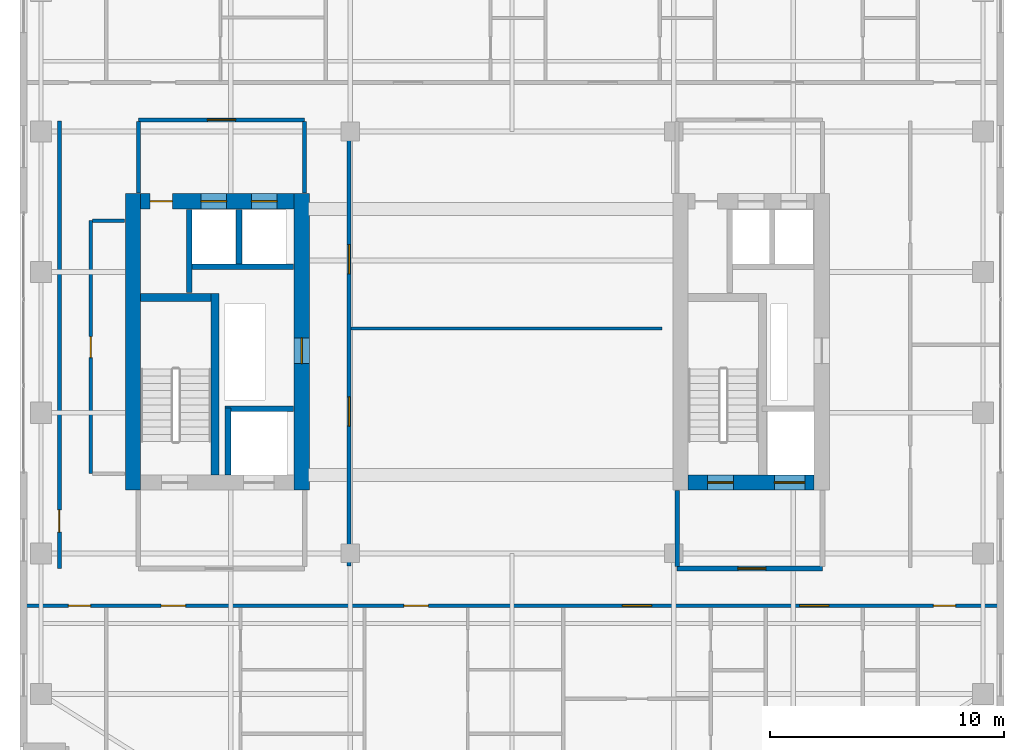
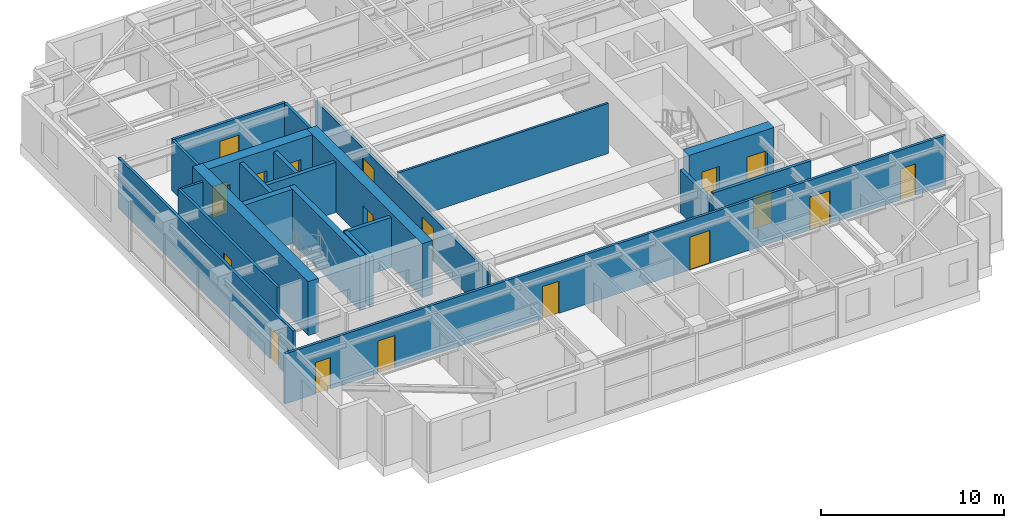
# One storey, part 20 of 24: 22 walls, 18 doors, 18 openings.
"""IFC4 building model written with IfcOpenShell, lengths in metres."""

import ifcopenshell
import ifcopenshell.guid

model = None  # the IFC model being written
_history = None  # IfcOwnerHistory: only IFC2X3 demands one
_inside = {}  # id of a spatial element -> (the spatial element, [elements in it])
_under = {}  # id of a project, library or spatial element -> (it, [spatial elements below it])
_declared = {}  # id of a project -> (the project, [libraries it declares])
_typed = {}  # id of a type object -> (the type object, [elements of that type])
_made_of = {}  # id of a material, layer set ... -> (it, [elements and type objects made of it])


def new_model(schema):
    """Start an empty IFC model of exactly this schema.

    Asked for "IFC4X3", IfcOpenShell would pick the latest addendum, in which some entities
    have other attributes; the version numbers below select the first issue.
    IFC2X3 requires an IfcOwnerHistory on every rooted entity: one is made here for all.
    """
    global model, _history
    if schema == "IFC4X3":
        model = ifcopenshell.file(schema_version=(4, 3, 0, 0))
    else:
        model = ifcopenshell.file(schema=schema)
    _inside.clear()
    _under.clear()
    _declared.clear()
    _typed.clear()
    _made_of.clear()
    _history = None
    if model.schema == "IFC2X3":
        org = make("IfcOrganization", Name="unknown")
        user = make(
            "IfcPersonAndOrganization",
            ThePerson=make("IfcPerson", FamilyName="unknown"),
            TheOrganization=org,
        )
        app = make(
            "IfcApplication",
            ApplicationDeveloper=org,
            Version="unknown",
            ApplicationFullName="unknown",
            ApplicationIdentifier="unknown",
        )
        _history = make(
            "IfcOwnerHistory",
            OwningUser=user,
            OwningApplication=app,
            ChangeAction="ADDED",
            CreationDate=0,
        )
    return model


def make(cls, **values):
    """One entity of the class cls with the attributes given. An attribute that is None is left unset."""
    return model.create_entity(
        cls, **{name: value for name, value in values.items() if value is not None}
    )


def rooted(cls, **values):
    """An entity with a GlobalId (a new one), such as an element, a storey or a relation."""
    return make(cls, GlobalId=ifcopenshell.guid.new(), OwnerHistory=_history, **values)


def si_unit(unit_type, name, prefix=None):
    """IfcSIUnit, for example si_unit("LENGTHUNIT", "METRE", prefix="MILLI")."""
    return make("IfcSIUnit", UnitType=unit_type, Prefix=prefix, Name=name)


def assignment(units):
    """IfcUnitAssignment: the units of a project."""
    return None if units is None else make("IfcUnitAssignment", Units=units)


def point(xyz):
    """IfcCartesianPoint."""
    return None if xyz is None else make("IfcCartesianPoint", Coordinates=xyz)


def direction(xyz):
    """IfcDirection."""
    return None if xyz is None else make("IfcDirection", DirectionRatios=xyz)


def frame(location, z_axis=None, x_axis=None):
    """IfcAxis2Placement3D, a coordinate frame: its origin and axes. An axis left out is left unset."""
    return make(
        "IfcAxis2Placement3D",
        Location=point(location),
        Axis=direction(z_axis),
        RefDirection=direction(x_axis),
    )


def frame_2d(location, x_axis=None):
    """IfcAxis2Placement2D, a coordinate frame in the plane: its origin and x axis."""
    return make(
        "IfcAxis2Placement2D", Location=point(location), RefDirection=direction(x_axis)
    )


def origin():
    """The frame at (0, 0, 0) with its axes left unset."""
    return frame((0.0, 0.0, 0.0))


def place(relative_to, where):
    """IfcLocalPlacement: puts the frame where relative to a parent placement (None: the world)."""
    return make(
        "IfcLocalPlacement", PlacementRelTo=relative_to, RelativePlacement=where
    )


def context(
    kind, dimensions, precision=None, world=None, true_north=None, identifier=None
):
    """IfcGeometricRepresentationContext, for example the 3D "Model" context."""
    return make(
        "IfcGeometricRepresentationContext",
        ContextIdentifier=identifier,
        ContextType=kind,
        CoordinateSpaceDimension=dimensions,
        Precision=precision,
        WorldCoordinateSystem=world,
        TrueNorth=true_north,
    )


def subcontext(parent, identifier, kind, view, scale=None):
    """IfcGeometricRepresentationSubContext, for example "Body" below "Model"."""
    return make(
        "IfcGeometricRepresentationSubContext",
        ContextIdentifier=identifier,
        ContextType=kind,
        ParentContext=parent,
        TargetScale=scale,
        TargetView=view,
    )


def project(units=None, contexts=None):
    """IfcProject with its units and contexts."""
    return rooted(
        "IfcProject",
        Name="project",
        RepresentationContexts=contexts,
        UnitsInContext=assignment(units),
    )


def spatial(cls, under=None, at=None, **own):
    """A site, building, storey or space (cls), placed at a placement, below another one or the project."""
    s = rooted(cls, ObjectPlacement=at, **own)
    if under is not None:
        _under.setdefault(under.id(), (under, []))[1].append(s)
    return s


def profile(cls, at=None, kind="AREA", **sizes):
    """A parametric profile (cls). Its sizes go by their IFC names, for example OverallWidth=200.0."""
    return make(cls, ProfileType=kind, Position=at, **sizes)


def rectangle(**sizes):
    """IfcRectangleProfileDef."""
    return profile("IfcRectangleProfileDef", **sizes)


def extrude(swept, where, along, depth):
    """IfcExtrudedAreaSolid: the profile swept, set in the frame where, extruded along a direction by depth."""
    return make(
        "IfcExtrudedAreaSolid",
        SweptArea=swept,
        Position=where,
        ExtrudedDirection=direction(along),
        Depth=depth,
    )


def shape(context_of_items, identifier, shape_type, items):
    """IfcShapeRepresentation: the items that make up one representation, for example the "Body"."""
    return make(
        "IfcShapeRepresentation",
        ContextOfItems=context_of_items,
        RepresentationIdentifier=identifier,
        RepresentationType=shape_type,
        Items=items,
    )


def source(mapping_origin, context_of_items, identifier, shape_type, items):
    """IfcRepresentationMap: a shape defined once, which mapped items show again and again."""
    return make(
        "IfcRepresentationMap",
        MappingOrigin=mapping_origin,
        MappedRepresentation=shape(context_of_items, identifier, shape_type, items),
    )


def transform(
    local_origin,
    x_axis=None,
    y_axis=None,
    z_axis=None,
    scale=None,
    scale2=None,
    scale3=None,
    uniform=True,
):
    """IfcCartesianTransformationOperator3D, or its non-uniform kind. x_axis, y_axis, z_axis: its Axis1, 2, 3."""
    if uniform:
        return make(
            "IfcCartesianTransformationOperator3D",
            Axis1=direction(x_axis),
            Axis2=direction(y_axis),
            LocalOrigin=point(local_origin),
            Scale=scale,
            Axis3=direction(z_axis),
        )
    return make(
        "IfcCartesianTransformationOperator3DnonUniform",
        Axis1=direction(x_axis),
        Axis2=direction(y_axis),
        LocalOrigin=point(local_origin),
        Scale=scale,
        Axis3=direction(z_axis),
        Scale2=scale2,
        Scale3=scale3,
    )


def mapped(mapping_source, mapping_target):
    """IfcMappedItem: shows the shape of a source again, moved by a transform."""
    return make(
        "IfcMappedItem", MappingSource=mapping_source, MappingTarget=mapping_target
    )


def material(Name=None, Category=None):
    """IfcMaterial."""
    return make("IfcMaterial", Name=Name, Category=Category)


def layer(
    of_material, thickness, ventilated=None, Name=None, Category=None, Priority=None
):
    """IfcMaterialLayer: one layer of a wall or slab, of a material (None: an air gap)."""
    return make(
        "IfcMaterialLayer",
        Material=of_material,
        LayerThickness=thickness,
        IsVentilated=ventilated,
        Name=Name,
        Category=Category,
        Priority=Priority,
    )


def layer_set(layers, Name=None):
    """IfcMaterialLayerSet."""
    return make("IfcMaterialLayerSet", MaterialLayers=layers, LayerSetName=Name)


def made_of(thing, what):
    """Note that an element or type object is made of a material, layer set ...; save() writes the relation."""
    if what is not None:
        _made_of.setdefault(what.id(), (what, []))[1].append(thing)
    return thing


def type_object(cls, material=None, **own):
    """A type object (cls), such as IfcWallType, which elements share."""
    return made_of(rooted(cls, **own), material)


def element(
    cls,
    number,
    at=None,
    inside=None,
    cuts=None,
    type_object=None,
    material=None,
    context=None,
    identifier="Body",
    shape_type=None,
    held_by="IfcProductDefinitionShape",
    body=None,
    shapes=None,
    **own,
):
    """One element of the class cls, such as IfcWall. Its Tag is "e" and its number.

    at: its placement. inside: the storey or other place that contains it. cuts: it is an
    opening in that element (IfcRelVoidsElement). A single representation is given by context,
    identifier, shape_type and body (its items); several are given by shapes. held_by: the class
    of the entity that holds the representations. save() writes the other relations.
    """
    e = rooted(cls, Tag="e%d" % number, ObjectPlacement=at, **own)
    if body is not None:
        shapes = [shape(context, identifier, shape_type, body)]
    if shapes is not None:
        e.Representation = make(held_by, Representations=shapes)
    if inside is not None:
        _inside.setdefault(inside.id(), (inside, []))[1].append(e)
    if cuts is not None:
        rooted(
            "IfcRelVoidsElement", RelatingBuildingElement=cuts, RelatedOpeningElement=e
        )
    if type_object is not None:
        _typed.setdefault(type_object.id(), (type_object, []))[1].append(e)
    return made_of(e, material)


def fill(opening, filler):
    """IfcRelFillsElement: the door or window that sits in an opening."""
    return rooted(
        "IfcRelFillsElement",
        RelatingOpeningElement=opening,
        RelatedBuildingElement=filler,
    )


def aggregate(whole, parts):
    """IfcRelAggregates: a whole, such as a stair, and the parts it consists of."""
    return rooted("IfcRelAggregates", RelatingObject=whole, RelatedObjects=parts)


def save(model, path):
    """Write the relations noted so far, then the file.

    IfcRelAggregates (storeys below a building ...), IfcRelContainedInSpatialStructure (elements
    in a storey), IfcRelDefinesByType, IfcRelAssociatesMaterial and IfcRelDeclares: one each for
    every whole, place, type object, material and project.
    """
    for whole, parts in _under.values():
        aggregate(whole, parts)
    for where, things in _inside.values():
        rooted(
            "IfcRelContainedInSpatialStructure",
            RelatedElements=things,
            RelatingStructure=where,
        )
    for kind, things in _typed.values():
        rooted("IfcRelDefinesByType", RelatedObjects=things, RelatingType=kind)
    for what, things in _made_of.values():
        rooted("IfcRelAssociatesMaterial", RelatedObjects=things, RelatingMaterial=what)
    for by, libraries in _declared.values():
        rooted("IfcRelDeclares", RelatingContext=by, RelatedDefinitions=libraries)
    model.write(path)


model = new_model("IFC4")

# Units and contexts
model_context = context("Model", 3, precision=1e-05, world=origin(), true_north=direction((0.0, 1.0)))
body_context = subcontext(model_context, "Body", "Model", "MODEL_VIEW")
ifc_project = project(units=[si_unit("LENGTHUNIT", "METRE"), si_unit("AREAUNIT", "SQUARE_METRE"), si_unit("VOLUMEUNIT", "CUBIC_METRE"), si_unit("PLANEANGLEUNIT", "RADIAN"), si_unit("MASSUNIT", "GRAM", prefix="KILO")], contexts=[model_context])

# Site, building, storey
site_placement = place(None, origin())
site = spatial("IfcSite", under=ifc_project, at=site_placement, CompositionType="ELEMENT")
building_placement = place(site_placement, origin())
building = spatial("IfcBuilding", under=site, at=building_placement, Name="Khoralis Quay Care Tower", CompositionType="ELEMENT")
storey_placement = place(building_placement, frame((0.0, 0.0, 155.699951171875)))
storey = spatial("IfcBuildingStorey", under=building, at=storey_placement, Name="L40", CompositionType="ELEMENT", Elevation=155.699951171875)

# Wall, opening, door
ifc_material_1 = material(Name="Gypsum plasterboard on acoustic metal stud")
ifc_layer_1 = layer(ifc_material_1, 0.199951171875)
ifc_layer_set_1 = layer_set([ifc_layer_1], Name="Gypsum plasterboard on acoustic metal stud")
wall_type_1 = type_object("IfcWallType", Name="WL-COMP-200", PredefinedType="PARTITIONING", material=ifc_layer_set_1)
wall_1_placement = place(storey_placement, frame((31.050048828125, 11.35009765625, 0.0), z_axis=(0.0, 0.0, 1.0), x_axis=(1.0, 0.0, 0.0)))
wall_1 = element("IfcWall", 1, at=wall_1_placement, inside=storey, type_object=wall_type_1, Name="L40 East Firefighting Lobby South Wall", PredefinedType="PARTITIONING", context=body_context, shape_type="SweptSolid", body=[
    extrude(rectangle(XDim=6.199951171875, YDim=0.199951171875, at=frame_2d((3.10009765625, 0.0))), origin(), (0.0, 0.0, 1.0), 3.340087890625),
])
opening_1_placement = place(wall_1_placement, frame((2.585693359375, 0.0, 0.0)))
opening_1 = element("IfcOpeningElement", 2, at=opening_1_placement, cuts=wall_1, Name="Opening FD1", PredefinedType="OPENING", context=body_context, shape_type="SweptSolid", body=[
    extrude(rectangle(XDim=1.199951171875, YDim=2.199951171875, at=frame_2d((0.60009765625, 1.10009765625))), frame((0.0, 0.10986328125, 0.0), z_axis=(0.0, -1.0, 0.0), x_axis=(1.0, 0.0, 0.0)), (0.0, 0.0, 1.0), 0.219970703125),
])
ifc_material_2 = material(Name="Fire-rated painted steel", Category="steel")
door_type_1 = type_object("IfcDoorType", Name="DR-FFL-1200X2200", OperationType="NOTDEFINED", PredefinedType="DOOR", material=ifc_material_2)
shared_shape_1 = source(origin(), body_context, "Body", "SweptSolid", [
    extrude(rectangle(XDim=1.199951171875, YDim=2.199951171875, at=frame_2d((0.60009765625, 1.10009765625))), frame((0.0, 0.02490234375, 0.0), z_axis=(0.0, -1.0, 0.0), x_axis=(1.0, 0.0, 0.0)), (0.0, 0.0, 1.0), 0.050048828125),
])
door_1_placement = place(opening_1_placement, origin())
door_1 = element("IfcDoor", 3, at=door_1_placement, inside=storey, type_object=door_type_1, Name="L40 East Firefighting Lobby Fire Door", OperationType="SINGLE_SWING_LEFT", OverallHeight=2.199951171875, OverallWidth=1.199951171875, PredefinedType="DOOR", context=body_context, shape_type="MappedRepresentation", body=[
    mapped(shared_shape_1, transform((0.0, 0.0, 0.0), scale=1.0)),
])
fill(opening_1, door_1)

# Walls
wall_2_placement = place(storey_placement, frame((31.050048828125, 11.445068359375, 0.0), z_axis=(0.0, 0.0, 1.0), x_axis=(0.0, 1.0, 0.0)))
element("IfcWall", 4, at=wall_2_placement, inside=storey, type_object=wall_type_1, Name="L40 East Firefighting Lobby West Wall", PredefinedType="PARTITIONING", context=body_context, shape_type="SweptSolid", body=[
    extrude(rectangle(XDim=3.23486328125, YDim=0.199951171875, at=frame_2d((1.617431640625, 0.0))), origin(), (0.0, 0.0, 1.0), 2.876953125),
])
ifc_material_3 = material(Name="Concrete C65/80", Category="concrete")
ifc_layer_2 = layer(ifc_material_3, 0.64990234375)
ifc_layer_set_2 = layer_set([ifc_layer_2], Name="Concrete C65/80")
wall_type_2 = type_object("IfcWallType", Name="WL-CORE-650", PredefinedType="SHEAR", material=ifc_layer_set_2)
wall_3_placement = place(storey_placement, frame((7.824951171875, 14.699951171875, 0.0), z_axis=(0.0, 0.0, 1.0), x_axis=(0.0, 1.0, 0.0)))
element("IfcWall", 5, at=wall_3_placement, inside=storey, type_object=wall_type_2, Name="L40 WCORE West Shear Wall", PredefinedType="SHEAR", context=body_context, shape_type="SweptSolid", body=[
    extrude(rectangle(XDim=12.650146484375, YDim=0.64990234375, at=frame_2d((6.3251953125, 0.0))), origin(), (0.0, 0.0, 1.0), 3.60009765625),
])

# Wall, opening, door
wall_4_placement = place(storey_placement, frame((15.02490234375, 14.699951171875, 0.0), z_axis=(0.0, 0.0, 1.0), x_axis=(0.0, 1.0, 0.0)))
wall_4 = element("IfcWall", 6, at=wall_4_placement, inside=storey, type_object=wall_type_2, Name="L40 WCORE East Shear Wall", PredefinedType="SHEAR", context=body_context, shape_type="SweptSolid", body=[
    extrude(rectangle(XDim=12.650146484375, YDim=0.64990234375, at=frame_2d((6.3251953125, 0.0))), origin(), (0.0, 0.0, 1.0), 3.60009765625),
])
opening_2_placement = place(wall_4_placement, frame((5.39990234375, 0.0, 0.0)))
opening_2 = element("IfcOpeningElement", 7, at=opening_2_placement, cuts=wall_4, Name="Opening SD1", PredefinedType="OPENING", context=body_context, shape_type="SweptSolid", body=[
    extrude(rectangle(XDim=1.10009765625, YDim=2.199951171875, at=frame_2d((0.550048828125, 1.10009765625))), frame((0.0, 0.3349609375, 0.0), z_axis=(0.0, -1.0, 0.0), x_axis=(1.0, 0.0, 0.0)), (0.0, 0.0, 1.0), 0.669921875),
])
door_type_2 = type_object("IfcDoorType", Name="DR-STAIR-1100X2200", OperationType="NOTDEFINED", PredefinedType="DOOR", material=ifc_material_2)
shared_shape_2 = source(origin(), body_context, "Body", "SweptSolid", [
    extrude(rectangle(XDim=1.10009765625, YDim=2.199951171875, at=frame_2d((0.550048828125, 1.10009765625))), frame((0.0, 0.02490234375, 0.0), z_axis=(0.0, -1.0, 0.0), x_axis=(1.0, 0.0, 0.0)), (0.0, 0.0, 1.0), 0.050048828125),
])
door_2_placement = place(opening_2_placement, origin())
door_2 = element("IfcDoor", 8, at=door_2_placement, inside=storey, type_object=door_type_2, Name="L40 West MEP Riser Door", OperationType="SINGLE_SWING_RIGHT", OverallHeight=2.199951171875, OverallWidth=1.10009765625, PredefinedType="DOOR", context=body_context, shape_type="MappedRepresentation", body=[
    mapped(shared_shape_2, transform((0.0, 0.0, 0.0), scale=1.0)),
])
fill(opening_2, door_2)

# Wall, openings, doors
wall_5_placement = place(storey_placement, frame((8.14990234375, 27.02490234375, 0.0), z_axis=(0.0, 0.0, 1.0), x_axis=(1.0, 0.0, 0.0)))
wall_5 = element("IfcWall", 9, at=wall_5_placement, inside=storey, type_object=wall_type_2, Name="L40 WCORE North Shear Wall", PredefinedType="SHEAR", context=body_context, shape_type="SweptSolid", body=[
    extrude(rectangle(XDim=6.550048828125, YDim=0.64990234375, at=frame_2d((3.27490234375, 0.0))), origin(), (0.0, 0.0, 1.0), 3.60009765625),
])
opening_3_placement = place(wall_5_placement, frame((0.39990234375, 0.0, 0.0)))
opening_3 = element("IfcOpeningElement", 10, at=opening_3_placement, cuts=wall_5, Name="Opening ID1", PredefinedType="OPENING", context=body_context, shape_type="SweptSolid", body=[
    extrude(rectangle(XDim=0.949951171875, YDim=2.10009765625, at=frame_2d((0.47509765625, 1.050048828125))), frame((0.0, 0.3349609375, 0.0), z_axis=(0.0, -1.0, 0.0), x_axis=(1.0, 0.0, 0.0)), (0.0, 0.0, 1.0), 0.669921875),
])
opening_4_placement = place(wall_5_placement, frame((2.570068359375, 0.0, 0.0)))
opening_4 = element("IfcOpeningElement", 11, at=opening_4_placement, cuts=wall_5, Name="Opening LD1", PredefinedType="OPENING", context=body_context, shape_type="SweptSolid", body=[
    extrude(rectangle(XDim=1.10009765625, YDim=2.199951171875, at=frame_2d((0.550048828125, 1.10009765625))), frame((0.0, 0.3349609375, 0.0), z_axis=(0.0, -1.0, 0.0), x_axis=(1.0, 0.0, 0.0)), (0.0, 0.0, 1.0), 0.669921875),
])
opening_5_placement = place(wall_5_placement, frame((4.72998046875, 0.0, 0.0)))
opening_5 = element("IfcOpeningElement", 12, at=opening_5_placement, cuts=wall_5, Name="Opening LD1", PredefinedType="OPENING", context=body_context, shape_type="SweptSolid", body=[
    extrude(rectangle(XDim=1.10009765625, YDim=2.199951171875, at=frame_2d((0.550048828125, 1.10009765625))), frame((0.0, 0.3349609375, 0.0), z_axis=(0.0, -1.0, 0.0), x_axis=(1.0, 0.0, 0.0)), (0.0, 0.0, 1.0), 0.669921875),
])
ifc_material_4 = material(Name="Brushed stainless steel", Category="steel")
door_type_3 = type_object("IfcDoorType", Name="DR-LIFT-1100X2200", OperationType="SLIDING_TO_LEFT", PredefinedType="DOOR", material=ifc_material_4)
shared_shape_3 = source(origin(), body_context, "Body", "SweptSolid", [
    extrude(rectangle(XDim=1.10009765625, YDim=2.199951171875, at=frame_2d((0.550048828125, 1.10009765625))), frame((0.0, 0.02490234375, 0.0), z_axis=(0.0, -1.0, 0.0), x_axis=(1.0, 0.0, 0.0)), (0.0, 0.0, 1.0), 0.050048828125),
])
door_3_placement = place(opening_4_placement, origin())
door_3 = element("IfcDoor", 13, at=door_3_placement, inside=storey, type_object=door_type_3, Name="L40 Lift PLM1 Landing Door", OperationType="SLIDING_TO_LEFT", OverallHeight=2.199951171875, OverallWidth=1.10009765625, PredefinedType="DOOR", context=body_context, shape_type="MappedRepresentation", body=[
    mapped(shared_shape_3, transform((0.0, 0.0, 0.0), scale=1.0)),
])
fill(opening_4, door_3)
door_4_placement = place(opening_5_placement, origin())
door_4 = element("IfcDoor", 14, at=door_4_placement, inside=storey, type_object=door_type_3, Name="L40 Lift PLH1 Landing Door", OperationType="SLIDING_TO_LEFT", OverallHeight=2.199951171875, OverallWidth=1.10009765625, PredefinedType="DOOR", context=body_context, shape_type="MappedRepresentation", body=[
    mapped(shared_shape_3, transform((0.0, 0.0, 0.0), scale=1.0)),
])
fill(opening_5, door_4)
ifc_material_5 = material(Name="Acoustic hardwood timber", Category="wood")
door_type_4 = type_object("IfcDoorType", Name="DR-ROOM-950X2100", OperationType="NOTDEFINED", PredefinedType="DOOR", material=ifc_material_5)
shared_shape_4 = source(origin(), body_context, "Body", "SweptSolid", [
    extrude(rectangle(XDim=0.949951171875, YDim=2.10009765625, at=frame_2d((0.47509765625, 1.050048828125))), frame((0.0, 0.02490234375, 0.0), z_axis=(0.0, -1.0, 0.0), x_axis=(1.0, 0.0, 0.0)), (0.0, 0.0, 1.0), 0.050048828125),
])
door_5_placement = place(opening_3_placement, frame((0.949951171875, 0.0, 0.0), z_axis=(0.0, 0.0, 1.0), x_axis=(-1.0, 0.0, 0.0)))
door_5 = element("IfcDoor", 15, at=door_5_placement, inside=storey, type_object=door_type_4, Name="L40 Medication Room Door", OperationType="SINGLE_SWING_RIGHT", OverallHeight=2.10009765625, OverallWidth=0.949951171875, PredefinedType="DOOR", context=body_context, shape_type="MappedRepresentation", body=[
    mapped(shared_shape_4, transform((0.0, 0.0, 0.0), scale=1.0)),
])
fill(opening_3, door_5)

wall_6_placement = place(storey_placement, frame((31.52001953125, 15.02490234375, 0.0), z_axis=(0.0, 0.0, 1.0), x_axis=(1.0, 0.0, 0.0)))
wall_6 = element("IfcWall", 16, at=wall_6_placement, inside=storey, type_object=wall_type_2, Name="L40 ECORE South Shear Wall", PredefinedType="SHEAR", context=body_context, shape_type="SweptSolid", body=[
    extrude(rectangle(XDim=5.3798828125, YDim=0.64990234375, at=frame_2d((2.68994140625, 0.0))), origin(), (0.0, 0.0, 1.0), 3.60009765625),
])
opening_6_placement = place(wall_6_placement, frame((0.830078125, 0.0, 0.0)))
opening_6 = element("IfcOpeningElement", 17, at=opening_6_placement, cuts=wall_6, Name="Opening SD1", PredefinedType="OPENING", context=body_context, shape_type="SweptSolid", body=[
    extrude(rectangle(XDim=1.10009765625, YDim=2.199951171875, at=frame_2d((0.550048828125, 1.10009765625))), frame((0.0, 0.3349609375, 0.0), z_axis=(0.0, -1.0, 0.0), x_axis=(1.0, 0.0, 0.0)), (0.0, 0.0, 1.0), 0.669921875),
])
opening_7_placement = place(wall_6_placement, frame((3.679931640625, 0.0, 0.0)))
opening_7 = element("IfcOpeningElement", 18, at=opening_7_placement, cuts=wall_6, Name="Opening LD2", PredefinedType="OPENING", context=body_context, shape_type="SweptSolid", body=[
    extrude(rectangle(XDim=1.300048828125, YDim=2.199951171875, at=frame_2d((0.64990234375, 1.10009765625))), frame((0.0, 0.3349609375, 0.0), z_axis=(0.0, -1.0, 0.0), x_axis=(1.0, 0.0, 0.0)), (0.0, 0.0, 1.0), 0.669921875),
])
door_6_placement = place(opening_6_placement, origin())
door_6 = element("IfcDoor", 19, at=door_6_placement, inside=storey, type_object=door_type_2, Name="L40 Stair ST-T2 Fire Door", OperationType="SINGLE_SWING_LEFT", OverallHeight=2.199951171875, OverallWidth=1.10009765625, PredefinedType="DOOR", context=body_context, shape_type="MappedRepresentation", body=[
    mapped(shared_shape_2, transform((0.0, 0.0, 0.0), scale=1.0)),
])
fill(opening_6, door_6)
door_type_5 = type_object("IfcDoorType", Name="DR-LIFT-1300X2200", OperationType="SLIDING_TO_RIGHT", PredefinedType="DOOR", material=ifc_material_4)
shared_shape_5 = source(origin(), body_context, "Body", "SweptSolid", [
    extrude(rectangle(XDim=1.300048828125, YDim=2.199951171875, at=frame_2d((0.64990234375, 1.10009765625))), frame((0.0, 0.02490234375, 0.0), z_axis=(0.0, -1.0, 0.0), x_axis=(1.0, 0.0, 0.0)), (0.0, 0.0, 1.0), 0.050048828125),
])
door_7_placement = place(opening_7_placement, origin())
door_7 = element("IfcDoor", 20, at=door_7_placement, inside=storey, type_object=door_type_5, Name="L40 Firefighting Lift FFL-2 Landing Door", OperationType="SLIDING_TO_RIGHT", OverallHeight=2.199951171875, OverallWidth=1.300048828125, PredefinedType="DOOR", context=body_context, shape_type="MappedRepresentation", body=[
    mapped(shared_shape_5, transform((0.0, 0.0, 0.0), scale=1.0)),
])
fill(opening_7, door_7)

# Wall, opening, door
ifc_layer_3 = layer(ifc_material_1, 0.1650390625)
ifc_layer_set_3 = layer_set([ifc_layer_3], Name="Gypsum plasterboard on acoustic metal stud")
wall_type_3 = type_object("IfcWallType", Name="WL-CORR-165", PredefinedType="PARTITIONING", material=ifc_layer_set_3)
wall_7_placement = place(storey_placement, frame((8.050048828125, 30.5, 0.0), z_axis=(0.0, 0.0, 1.0), x_axis=(1.0, 0.0, 0.0)))
wall_7 = element("IfcWall", 21, at=wall_7_placement, inside=storey, type_object=wall_type_3, Name="L40 West Lift Lobby North Wall", PredefinedType="PARTITIONING", context=body_context, shape_type="SweptSolid", body=[
    extrude(rectangle(XDim=7.099853515625, YDim=0.1650390625, at=frame_2d((3.5498046875, 0.0))), origin(), (0.0, 0.0, 1.0), 3.340087890625),
])
opening_8_placement = place(wall_7_placement, frame((2.949951171875, 0.0, 0.0)))
opening_8 = element("IfcOpeningElement", 22, at=opening_8_placement, cuts=wall_7, Name="Opening FD1", PredefinedType="OPENING", context=body_context, shape_type="SweptSolid", body=[
    extrude(rectangle(XDim=1.199951171875, YDim=2.199951171875, at=frame_2d((0.60009765625, 1.10009765625))), frame((0.0, 0.092529296875, 0.0), z_axis=(0.0, -1.0, 0.0), x_axis=(1.0, 0.0, 0.0)), (0.0, 0.0, 1.0), 0.18505859375),
])
door_8_placement = place(opening_8_placement, origin())
door_8 = element("IfcDoor", 23, at=door_8_placement, inside=storey, type_object=door_type_1, Name="L40 West Lift Lobby Double Door", OperationType="DOUBLE_DOOR_SINGLE_SWING", OverallHeight=2.199951171875, OverallWidth=1.199951171875, PredefinedType="DOOR", context=body_context, shape_type="MappedRepresentation", body=[
    mapped(shared_shape_1, transform((0.0, 0.0, 0.0), scale=1.0)),
])
fill(opening_8, door_8)

# Walls
for number, where, z_axis, x_axis, name in (
    (24, (8.050048828125, 27.3701171875, 0.0), (0.0, 0.0, 1.0), (0.0, 1.0, 0.0), "L40 West Lift Lobby West Wall"),
    (25, (15.14990234375, 27.3701171875, 0.0), (0.0, 0.0, 1.0), (0.0, 1.0, 0.0), "L40 West Lift Lobby East Wall"),
):
    element("IfcWall", number, at=place(storey_placement, frame(where, z_axis=z_axis, x_axis=x_axis)), inside=storey, type_object=wall_type_3, Name=name, PredefinedType="PARTITIONING", context=body_context, shape_type="SweptSolid", body=[
        extrude(rectangle(XDim=3.052490234375, YDim=0.1650390625, at=frame_2d((1.5263671875, 0.0))), origin(), (0.0, 0.0, 1.0), 3.340087890625),
    ])

# Wall, opening, door
wall_8_placement = place(storey_placement, frame((6.02001953125, 15.39990234375, 0.0), z_axis=(0.0, 0.0, 1.0), x_axis=(0.0, 1.0, 0.0)))
wall_8 = element("IfcWall", 26, at=wall_8_placement, inside=storey, type_object=wall_type_3, Name="L40 West Core Service Flank Wall", PredefinedType="PARTITIONING", context=body_context, shape_type="SweptSolid", body=[
    extrude(rectangle(XDim=10.800048828125, YDim=0.1650390625, at=frame_2d((5.39990234375, 0.0))), origin(), (0.0, 0.0, 1.0), 3.340087890625),
])
opening_9_placement = place(wall_8_placement, frame((4.949951171875, 0.0, 0.0)))
opening_9 = element("IfcOpeningElement", 27, at=opening_9_placement, cuts=wall_8, Name="Opening WD1", PredefinedType="OPENING", context=body_context, shape_type="SweptSolid", body=[
    extrude(rectangle(XDim=0.89990234375, YDim=2.10009765625, at=frame_2d((0.449951171875, 1.050048828125))), frame((0.0, 0.092529296875, 0.0), z_axis=(0.0, -1.0, 0.0), x_axis=(1.0, 0.0, 0.0)), (0.0, 0.0, 1.0), 0.18505859375),
])
door_type_6 = type_object("IfcDoorType", Name="DR-BATH-900X2100", OperationType="NOTDEFINED", PredefinedType="DOOR", material=ifc_material_5)
shared_shape_6 = source(origin(), body_context, "Body", "SweptSolid", [
    extrude(rectangle(XDim=0.89990234375, YDim=2.10009765625, at=frame_2d((0.449951171875, 1.050048828125))), frame((0.0, 0.02490234375, 0.0), z_axis=(0.0, -1.0, 0.0), x_axis=(1.0, 0.0, 0.0)), (0.0, 0.0, 1.0), 0.050048828125),
])
door_9_placement = place(opening_9_placement, frame((0.89990234375, 0.0, 0.0), z_axis=(0.0, 0.0, 1.0), x_axis=(-1.0, 0.0, 0.0)))
door_9 = element("IfcDoor", 28, at=door_9_placement, inside=storey, type_object=door_type_6, Name="L40 Housekeeping & Public Accessible WC Door", OperationType="SINGLE_SWING_LEFT", OverallHeight=2.10009765625, OverallWidth=0.89990234375, PredefinedType="DOOR", context=body_context, shape_type="MappedRepresentation", body=[
    mapped(shared_shape_6, transform((0.0, 0.0, 0.0), scale=1.0)),
])
fill(opening_9, door_9)

# Wall, openings, doors
wall_9_placement = place(storey_placement, frame((3.14501953125, 9.760009765625, 0.0), z_axis=(0.0, 0.0, 1.0), x_axis=(1.0, 0.0, 0.0)))
wall_9 = element("IfcWall", 29, at=wall_9_placement, inside=storey, type_object=wall_type_3, Name="L40 South Main Corridor Wall", PredefinedType="PARTITIONING", context=body_context, shape_type="SweptSolid", body=[
    extrude(rectangle(XDim=41.7099609375, YDim=0.1650390625, at=frame_2d((20.85498046875, 0.0))), origin(), (0.0, 0.0, 1.0), 3.340087890625),
])
opening_10_placement = place(wall_9_placement, frame((5.875, 0.0, 0.0)))
opening_10 = element("IfcOpeningElement", 30, at=opening_10_placement, cuts=wall_9, Name="Opening UD1", PredefinedType="OPENING", context=body_context, shape_type="SweptSolid", body=[
    extrude(rectangle(XDim=1.050048828125, YDim=2.14990234375, at=frame_2d((0.52490234375, 1.074951171875))), frame((0.0, 0.092529296875, 0.0), z_axis=(0.0, -1.0, 0.0), x_axis=(1.0, 0.0, 0.0)), (0.0, 0.0, 1.0), 0.18505859375),
])
opening_11_placement = place(wall_9_placement, frame((16.237548828125, 0.0, 0.0)))
opening_11 = element("IfcOpeningElement", 31, at=opening_11_placement, cuts=wall_9, Name="Opening UD1", PredefinedType="OPENING", context=body_context, shape_type="SweptSolid", body=[
    extrude(rectangle(XDim=1.050048828125, YDim=2.14990234375, at=frame_2d((0.52490234375, 1.074951171875))), frame((0.0, 0.092529296875, 0.0), z_axis=(0.0, -1.0, 0.0), x_axis=(1.0, 0.0, 0.0)), (0.0, 0.0, 1.0), 0.18505859375),
])
opening_12_placement = place(wall_9_placement, frame((25.56494140625, 0.0, 0.0)))
opening_12 = element("IfcOpeningElement", 32, at=opening_12_placement, cuts=wall_9, Name="Opening CD1", PredefinedType="OPENING", context=body_context, shape_type="SweptSolid", body=[
    extrude(rectangle(XDim=1.25, YDim=2.199951171875, at=frame_2d((0.625, 1.10009765625))), frame((0.0, 0.092529296875, 0.0), z_axis=(0.0, -1.0, 0.0), x_axis=(1.0, 0.0, 0.0)), (0.0, 0.0, 1.0), 0.18505859375),
])
opening_13_placement = place(wall_9_placement, frame((33.1298828125, 0.0, 0.0)))
opening_13 = element("IfcOpeningElement", 33, at=opening_13_placement, cuts=wall_9, Name="Opening CD1", PredefinedType="OPENING", context=body_context, shape_type="SweptSolid", body=[
    extrude(rectangle(XDim=1.25, YDim=2.199951171875, at=frame_2d((0.625, 1.10009765625))), frame((0.0, 0.092529296875, 0.0), z_axis=(0.0, -1.0, 0.0), x_axis=(1.0, 0.0, 0.0)), (0.0, 0.0, 1.0), 0.18505859375),
])
opening_14_placement = place(wall_9_placement, frame((1.919921875, 0.0, 0.0)))
opening_14 = element("IfcOpeningElement", 34, at=opening_14_placement, cuts=wall_9, Name="Opening ID1", PredefinedType="OPENING", context=body_context, shape_type="SweptSolid", body=[
    extrude(rectangle(XDim=0.949951171875, YDim=2.10009765625, at=frame_2d((0.47509765625, 1.050048828125))), frame((0.0, 0.092529296875, 0.0), z_axis=(0.0, -1.0, 0.0), x_axis=(1.0, 0.0, 0.0)), (0.0, 0.0, 1.0), 0.18505859375),
])
opening_15_placement = place(wall_9_placement, frame((38.840087890625, 0.0, 0.0)))
opening_15 = element("IfcOpeningElement", 35, at=opening_15_placement, cuts=wall_9, Name="Opening ID1", PredefinedType="OPENING", context=body_context, shape_type="SweptSolid", body=[
    extrude(rectangle(XDim=0.949951171875, YDim=2.10009765625, at=frame_2d((0.47509765625, 1.050048828125))), frame((0.0, 0.092529296875, 0.0), z_axis=(0.0, -1.0, 0.0), x_axis=(1.0, 0.0, 0.0)), (0.0, 0.0, 1.0), 0.18505859375),
])
door_type_7 = type_object("IfcDoorType", Name="DR-CARE-1250X2200", OperationType="NOTDEFINED", PredefinedType="DOOR", material=ifc_material_5)
shared_shape_7 = source(origin(), body_context, "Body", "SweptSolid", [
    extrude(rectangle(XDim=1.25, YDim=2.199951171875, at=frame_2d((0.625, 1.10009765625))), frame((0.0, 0.02490234375, 0.0), z_axis=(0.0, -1.0, 0.0), x_axis=(1.0, 0.0, 0.0)), (0.0, 0.0, 1.0), 0.050048828125),
])
door_10_placement = place(opening_12_placement, frame((1.25, 0.0, 0.0), z_axis=(0.0, 0.0, 1.0), x_axis=(-1.0, 0.0, 0.0)))
door_10 = element("IfcDoor", 36, at=door_10_placement, inside=storey, type_object=door_type_7, Name="L40 Care Suite SB2 Clinical Door", OperationType="SINGLE_SWING_RIGHT", OverallHeight=2.199951171875, OverallWidth=1.25, PredefinedType="DOOR", context=body_context, shape_type="MappedRepresentation", body=[
    mapped(shared_shape_7, transform((0.0, 0.0, 0.0), scale=1.0)),
])
fill(opening_12, door_10)
door_11_placement = place(opening_13_placement, frame((1.25, 0.0, 0.0), z_axis=(0.0, 0.0, 1.0), x_axis=(-1.0, 0.0, 0.0)))
door_11 = element("IfcDoor", 37, at=door_11_placement, inside=storey, type_object=door_type_7, Name="L40 Care Suite SB3 Clinical Door", OperationType="SINGLE_SWING_LEFT", OverallHeight=2.199951171875, OverallWidth=1.25, PredefinedType="DOOR", context=body_context, shape_type="MappedRepresentation", body=[
    mapped(shared_shape_7, transform((0.0, 0.0, 0.0), scale=1.0)),
])
fill(opening_13, door_11)
door_12_placement = place(opening_14_placement, frame((0.949951171875, 0.0, 0.0), z_axis=(0.0, 0.0, 1.0), x_axis=(-1.0, 0.0, 0.0)))
door_12 = element("IfcDoor", 38, at=door_12_placement, inside=storey, type_object=door_type_4, Name="L40 SW Corner Door", OperationType="SINGLE_SWING_LEFT", OverallHeight=2.10009765625, OverallWidth=0.949951171875, PredefinedType="DOOR", context=body_context, shape_type="MappedRepresentation", body=[
    mapped(shared_shape_4, transform((0.0, 0.0, 0.0), scale=1.0)),
])
fill(opening_14, door_12)
door_13_placement = place(opening_15_placement, frame((0.949951171875, 0.0, 0.0), z_axis=(0.0, 0.0, 1.0), x_axis=(-1.0, 0.0, 0.0)))
door_13 = element("IfcDoor", 39, at=door_13_placement, inside=storey, type_object=door_type_4, Name="L40 SE Corner Door", OperationType="SINGLE_SWING_RIGHT", OverallHeight=2.10009765625, OverallWidth=0.949951171875, PredefinedType="DOOR", context=body_context, shape_type="MappedRepresentation", body=[
    mapped(shared_shape_4, transform((0.0, 0.0, 0.0), scale=1.0)),
])
fill(opening_15, door_13)
door_type_8 = type_object("IfcDoorType", Name="DR-SUITE-1050X2150", OperationType="NOTDEFINED", PredefinedType="DOOR", material=ifc_material_5)
shared_shape_8 = source(origin(), body_context, "Body", "SweptSolid", [
    extrude(rectangle(XDim=1.050048828125, YDim=2.14990234375, at=frame_2d((0.52490234375, 1.074951171875))), frame((0.0, 0.02490234375, 0.0), z_axis=(0.0, -1.0, 0.0), x_axis=(1.0, 0.0, 0.0)), (0.0, 0.0, 1.0), 0.050048828125),
])
door_14_placement = place(opening_10_placement, frame((1.050048828125, 0.0, 0.0), z_axis=(0.0, 0.0, 1.0), x_axis=(-1.0, 0.0, 0.0)))
door_14 = element("IfcDoor", 40, at=door_14_placement, inside=storey, type_object=door_type_8, Name="L40 Apartment SB0 Entrance Door", OperationType="SINGLE_SWING_RIGHT", OverallHeight=2.14990234375, OverallWidth=1.050048828125, PredefinedType="DOOR", context=body_context, shape_type="MappedRepresentation", body=[
    mapped(shared_shape_8, transform((0.0, 0.0, 0.0), scale=1.0)),
])
fill(opening_10, door_14)
door_15_placement = place(opening_11_placement, frame((1.050048828125, 0.0, 0.0), z_axis=(0.0, 0.0, 1.0), x_axis=(-1.0, 0.0, 0.0)))
door_15 = element("IfcDoor", 41, at=door_15_placement, inside=storey, type_object=door_type_8, Name="L40 Apartment SB1 Entrance Door", OperationType="SINGLE_SWING_LEFT", OverallHeight=2.14990234375, OverallWidth=1.050048828125, PredefinedType="DOOR", context=body_context, shape_type="MappedRepresentation", body=[
    mapped(shared_shape_8, transform((0.0, 0.0, 0.0), scale=1.0)),
])
fill(opening_11, door_15)

wall_10_placement = place(storey_placement, frame((17.050048828125, 11.449951171875, 0.0), z_axis=(0.0, 0.0, 1.0), x_axis=(0.0, 1.0, 0.0)))
wall_10 = element("IfcWall", 42, at=wall_10_placement, inside=storey, type_object=wall_type_3, Name="L40 West Portal Spine Wall", PredefinedType="PARTITIONING", context=body_context, shape_type="SweptSolid", body=[
    extrude(rectangle(XDim=18.900146484375, YDim=0.1650390625, at=frame_2d((9.4501953125, 0.0))), origin(), (0.0, 0.0, 1.0), 2.876953125),
])
opening_16_placement = place(wall_10_placement, frame((5.97509765625, 0.0, 0.0)))
opening_16 = element("IfcOpeningElement", 43, at=opening_16_placement, cuts=wall_10, Name="Opening CD1", PredefinedType="OPENING", context=body_context, shape_type="SweptSolid", body=[
    extrude(rectangle(XDim=1.25, YDim=2.199951171875, at=frame_2d((0.625, 1.10009765625))), frame((0.0, 0.092529296875, 0.0), z_axis=(0.0, -1.0, 0.0), x_axis=(1.0, 0.0, 0.0)), (0.0, 0.0, 1.0), 0.18505859375),
])
opening_17_placement = place(wall_10_placement, frame((12.47509765625, 0.0, 0.0)))
opening_17 = element("IfcOpeningElement", 44, at=opening_17_placement, cuts=wall_10, Name="Opening CD1", PredefinedType="OPENING", context=body_context, shape_type="SweptSolid", body=[
    extrude(rectangle(XDim=1.25, YDim=2.199951171875, at=frame_2d((0.625, 1.10009765625))), frame((0.0, 0.092529296875, 0.0), z_axis=(0.0, -1.0, 0.0), x_axis=(1.0, 0.0, 0.0)), (0.0, 0.0, 1.0), 0.18505859375),
])
door_16_placement = place(opening_16_placement, origin())
door_16 = element("IfcDoor", 45, at=door_16_placement, inside=storey, type_object=door_type_7, Name="L40 Nurse Station Door", OperationType="SINGLE_SWING_LEFT", OverallHeight=2.199951171875, OverallWidth=1.25, PredefinedType="DOOR", context=body_context, shape_type="MappedRepresentation", body=[
    mapped(shared_shape_7, transform((0.0, 0.0, 0.0), scale=1.0)),
])
fill(opening_16, door_16)
door_17_placement = place(opening_17_placement, origin())
door_17 = element("IfcDoor", 46, at=door_17_placement, inside=storey, type_object=door_type_7, Name="L40 Activity Hall Door", OperationType="SINGLE_SWING_RIGHT", OverallHeight=2.199951171875, OverallWidth=1.25, PredefinedType="DOOR", context=body_context, shape_type="MappedRepresentation", body=[
    mapped(shared_shape_7, transform((0.0, 0.0, 0.0), scale=1.0)),
])
fill(opening_17, door_17)

# Wall, opening, door
wall_11_placement = place(storey_placement, frame((4.679931640625, 11.35009765625, 0.0), z_axis=(0.0, 0.0, 1.0), x_axis=(0.0, 1.0, 0.0)))
wall_11 = element("IfcWall", 47, at=wall_11_placement, inside=storey, type_object=wall_type_3, Name="L40 West Sunroom Wall", PredefinedType="PARTITIONING", context=body_context, shape_type="SweptSolid", body=[
    extrude(rectangle(XDim=19.099853515625, YDim=0.1650390625, at=frame_2d((9.5498046875, 0.0))), origin(), (0.0, 0.0, 1.0), 3.340087890625),
])
opening_18_placement = place(wall_11_placement, frame((1.550048828125, 0.0, 0.0)))
opening_18 = element("IfcOpeningElement", 48, at=opening_18_placement, cuts=wall_11, Name="Opening ID1", PredefinedType="OPENING", context=body_context, shape_type="SweptSolid", body=[
    extrude(rectangle(XDim=0.949951171875, YDim=2.10009765625, at=frame_2d((0.47509765625, 1.050048828125))), frame((0.0, 0.092529296875, 0.0), z_axis=(0.0, -1.0, 0.0), x_axis=(1.0, 0.0, 0.0)), (0.0, 0.0, 1.0), 0.18505859375),
])
door_18_placement = place(opening_18_placement, frame((0.949951171875, 0.0, 0.0), z_axis=(0.0, 0.0, 1.0), x_axis=(-1.0, 0.0, 0.0)))
door_18 = element("IfcDoor", 49, at=door_18_placement, inside=storey, type_object=door_type_4, Name="L40 West Sunroom Door", OperationType="SINGLE_SWING_LEFT", OverallHeight=2.10009765625, OverallWidth=0.949951171875, PredefinedType="DOOR", context=body_context, shape_type="MappedRepresentation", body=[
    mapped(shared_shape_4, transform((0.0, 0.0, 0.0), scale=1.0)),
])
fill(opening_18, door_18)

# Walls
ifc_material_6 = material(Name="Concrete C40/50", Category="concrete")
ifc_layer_4 = layer(ifc_material_6, 0.35009765625)
ifc_layer_set_4 = layer_set([ifc_layer_4], Name="Concrete C40/50")
wall_type_4 = type_object("IfcWallType", Name="WL-SC-CORE-350", PredefinedType="SHEAR", material=ifc_layer_set_4)
wall_12_placement = place(storey_placement, frame((11.324951171875, 15.35009765625, 0.0), z_axis=(0.0, 0.0, 1.0), x_axis=(0.0, 1.0, 0.0)))
element("IfcWall", 50, at=wall_12_placement, inside=storey, type_object=wall_type_4, Name="L40 Stair ST-T1 Shear Baffle Wall East", PredefinedType="SHEAR", context=body_context, shape_type="SweptSolid", body=[
    extrude(rectangle(XDim=7.75, YDim=0.35009765625, at=frame_2d((3.875, 0.0))), origin(), (0.0, 0.0, 1.0), 3.60009765625),
])
wall_13_placement = place(storey_placement, frame((8.14990234375, 22.925048828125, 0.0), z_axis=(0.0, 0.0, 1.0), x_axis=(1.0, 0.0, 0.0)))
element("IfcWall", 51, at=wall_13_placement, inside=storey, type_object=wall_type_4, Name="L40 Stair ST-T1 Shear Baffle Wall North", PredefinedType="SHEAR", context=body_context, shape_type="SweptSolid", body=[
    extrude(rectangle(XDim=3.0, YDim=0.35009765625, at=frame_2d((1.5, 0.0))), origin(), (0.0, 0.0, 1.0), 3.60009765625),
])
ifc_layer_5 = layer(ifc_material_1, 0.239990234375)
ifc_layer_set_5 = layer_set([ifc_layer_5], Name="Gypsum plasterboard on acoustic metal stud")
wall_type_5 = type_object("IfcWallType", Name="WL-SHAFT-240", PredefinedType="PARTITIONING", material=ifc_layer_set_5)
wall_14_placement = place(storey_placement, frame((11.8798828125, 15.35009765625, 0.0), z_axis=(0.0, 0.0, 1.0), x_axis=(0.0, 1.0, 0.0)))
element("IfcWall", 52, at=wall_14_placement, inside=storey, type_object=wall_type_5, Name="L40 FFL-1 Shaft Wall West", PredefinedType="PARTITIONING", context=body_context, shape_type="SweptSolid", body=[
    extrude(rectangle(XDim=2.849853515625, YDim=0.239990234375, at=frame_2d((1.4248046875, 0.0))), origin(), (0.0, 0.0, 1.0), 3.340087890625),
])
wall_15_placement = place(storey_placement, frame((11.760009765625, 18.169921875, 0.0), z_axis=(0.0, 0.0, 1.0), x_axis=(1.0, 0.0, 0.0)))
element("IfcWall", 53, at=wall_15_placement, inside=storey, type_object=wall_type_5, Name="L40 FFL-1 Shaft Wall North", PredefinedType="PARTITIONING", context=body_context, shape_type="SweptSolid", body=[
    extrude(rectangle(XDim=2.919921875, YDim=0.239990234375, at=frame_2d((1.4599609375, 0.0))), origin(), (0.0, 0.0, 1.0), 3.340087890625),
])
wall_16_placement = place(storey_placement, frame((10.219970703125, 23.139892578125, 0.0), z_axis=(0.0, 0.0, 1.0), x_axis=(0.0, 1.0, 0.0)))
element("IfcWall", 54, at=wall_16_placement, inside=storey, type_object=wall_type_5, Name="L40 Reclaimed Bay Divider West", PredefinedType="PARTITIONING", context=body_context, shape_type="SweptSolid", body=[
    extrude(rectangle(XDim=3.5400390625, YDim=0.239990234375, at=frame_2d((1.77001953125, 0.0))), origin(), (0.0, 0.0, 1.0), 3.340087890625),
])
wall_17_placement = place(storey_placement, frame((10.3349609375, 24.22998046875, 0.0), z_axis=(0.0, 0.0, 1.0), x_axis=(1.0, 0.0, 0.0)))
element("IfcWall", 55, at=wall_17_placement, inside=storey, type_object=wall_type_5, Name="L40 Active Shaft South Wall West", PredefinedType="PARTITIONING", context=body_context, shape_type="SweptSolid", body=[
    extrude(rectangle(XDim=4.344970703125, YDim=0.239990234375, at=frame_2d((2.17236328125, 0.0))), origin(), (0.0, 0.0, 1.0), 3.340087890625),
])
wall_18_placement = place(storey_placement, frame((12.35009765625, 24.344970703125, 0.0), z_axis=(0.0, 0.0, 1.0), x_axis=(0.0, 1.0, 0.0)))
element("IfcWall", 56, at=wall_18_placement, inside=storey, type_object=wall_type_5, Name="L40 West Shaft Divider 2", PredefinedType="PARTITIONING", context=body_context, shape_type="SweptSolid", body=[
    extrude(rectangle(XDim=2.3349609375, YDim=0.239990234375, at=frame_2d((1.16748046875, 0.0))), origin(), (0.0, 0.0, 1.0), 3.340087890625),
])
ifc_layer_6 = layer(ifc_material_1, 0.139892578125)
ifc_layer_set_6 = layer_set([ifc_layer_6], Name="Gypsum plasterboard on acoustic metal stud")
wall_type_6 = type_object("IfcWallType", Name="WL-UNIT-140", PredefinedType="PARTITIONING", material=ifc_layer_set_6)
wall_19_placement = place(storey_placement, frame((6.097412109375, 26.199951171875, 0.0), z_axis=(0.0, 0.0, 1.0), x_axis=(1.0, 0.0, 0.0)))
element("IfcWall", 57, at=wall_19_placement, inside=storey, type_object=wall_type_6, Name="L40 West Flank North Cap", PredefinedType="PARTITIONING", context=body_context, shape_type="SweptSolid", body=[
    extrude(rectangle(XDim=1.362548828125, YDim=0.139892578125, at=frame_2d((0.68115234375, 0.0))), origin(), (0.0, 0.0, 1.0), 3.340087890625),
])
wall_20_placement = place(storey_placement, frame((17.12744140625, 21.60009765625, 0.0), z_axis=(0.0, 0.0, 1.0), x_axis=(1.0, 0.0, 0.0)))
element("IfcWall", 58, at=wall_20_placement, inside=storey, type_object=wall_type_6, Name="L40 Central Split", PredefinedType="PARTITIONING", context=body_context, shape_type="SweptSolid", body=[
    extrude(rectangle(XDim=13.2724609375, YDim=0.139892578125, at=frame_2d((6.63623046875, 0.0))), origin(), (0.0, 0.0, 1.0), 3.340087890625),
])

save(model, "model.ifc")
